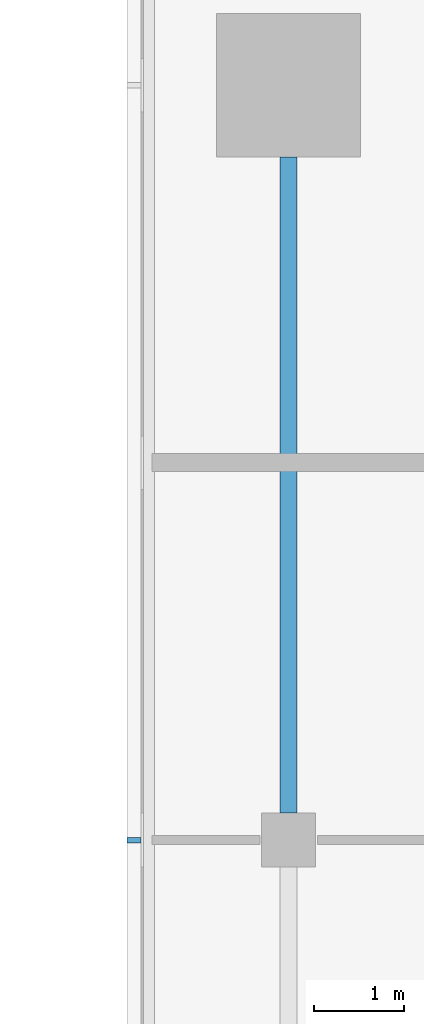
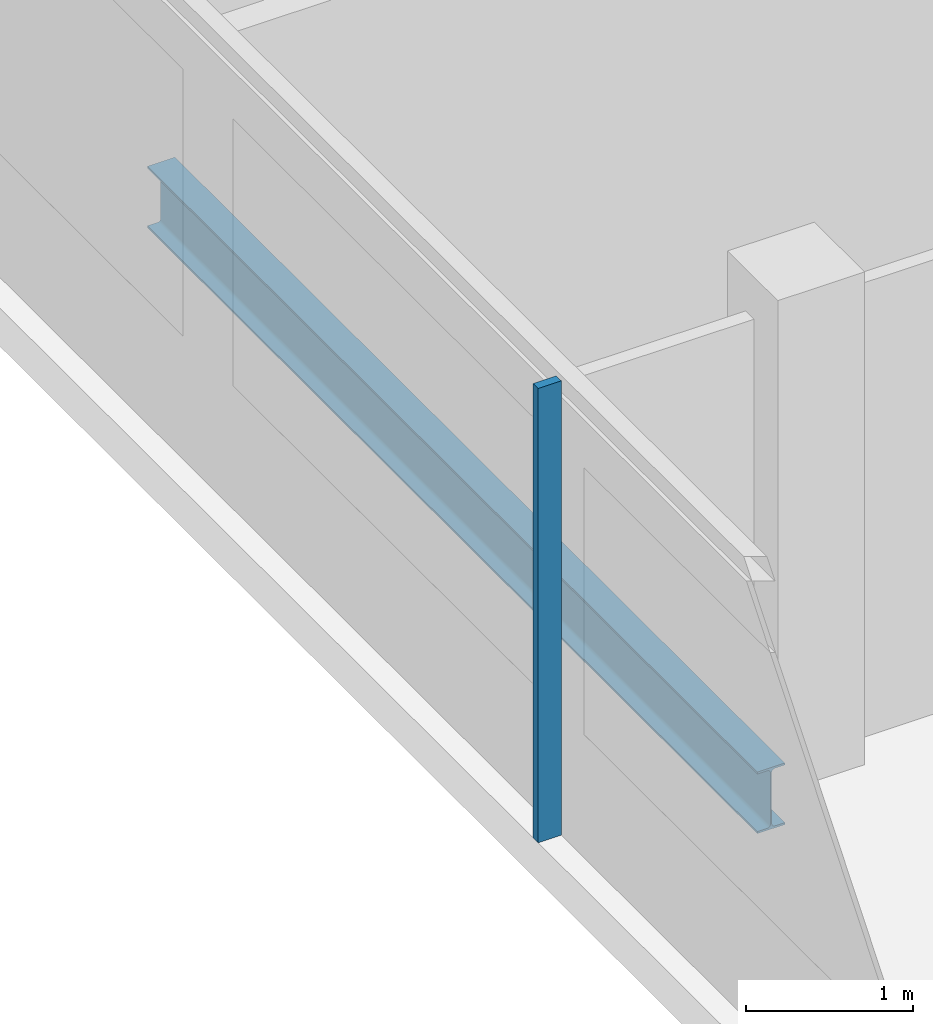
# One storey, part 4 of 30: 1 beam, 1 member, 1 element without a shape of its own.
"""IFC4 building model written with IfcOpenShell, lengths in metres."""

from ifc_helpers import new_model, si_unit, direction, frame, origin, origin_2d, place, context, subcontext, project, spatial, rectangle, i_section, extrude, material, material_profile, profile_set, type_object, element, aggregate, save


model = new_model("IFC4")

# Units and contexts
model_context = context("Model", 3, precision=1e-05, world=origin(), true_north=direction((0.0, 1.0)))
body_context = subcontext(model_context, "Body", "Model", "MODEL_VIEW")
ifc_project = project(units=[si_unit("LENGTHUNIT", "METRE"), si_unit("AREAUNIT", "SQUARE_METRE"), si_unit("VOLUMEUNIT", "CUBIC_METRE"), si_unit("PLANEANGLEUNIT", "RADIAN"), si_unit("MASSUNIT", "GRAM", prefix="KILO")], contexts=[model_context])

# Site, building, storey
site_placement = place(None, origin())
site = spatial("IfcSite", under=ifc_project, at=site_placement, CompositionType="ELEMENT")
building_placement = place(site_placement, origin())
building = spatial("IfcBuilding", under=site, at=building_placement, Name="Saffron Gate Tower", CompositionType="ELEMENT")
storey_placement = place(building_placement, frame((0.0, 0.0, 245.10009765625)))
storey = spatial("IfcBuildingStorey", under=building, at=storey_placement, Name="L60", CompositionType="ELEMENT", Elevation=245.10009765625)

# Beam
ifc_material_1 = material(Name="Structural steel S355", Category="steel")
ifc_material_profile_1 = material_profile(ifc_material_1, i_section(OverallWidth=0.18994140625, OverallDepth=0.449951171875, WebThickness=0.009521484375, FlangeThickness=0.0146484375, FilletRadius=0.02099609375, at=origin_2d()))
ifc_profile_set_1 = profile_set([ifc_material_profile_1], Name="Structural steel S355")
beam_type = type_object("IfcBeamType", Name="B7 IPE 450", PredefinedType="SPANDREL", material=ifc_profile_set_1)
beam_placement = place(storey_placement, frame((49.800048828125, 57.300048828125, -0.505126953125), z_axis=(0.0, 1.0, 0.0), x_axis=(-1.0, 0.0, 0.0)))
element("IfcBeam", 1, at=beam_placement, inside=storey, type_object=beam_type, Name="B7 SPANDREL BEAM", PredefinedType="SPANDREL", context=body_context, shape_type="SweptSolid", body=[
    extrude(i_section(OverallWidth=0.18994140625, OverallDepth=0.449951171875, WebThickness=0.009521484375, FlangeThickness=0.0146484375, FilletRadius=0.02099609375, at=origin_2d()), origin(), (0.0, 0.0, 1.0), 7.300048828125),
])

# Curtain wall, member
ifc_material_2 = material(Name="Aluminium, bronze anodised", Category="aluminium")
curtain_wall_type = type_object("IfcCurtainWallType", Name="CWS2 curtain wall side facades", PredefinedType="NOTDEFINED", material=ifc_material_2)
curtain_wall_placement = place(storey_placement, origin())
curtain_wall = element("IfcCurtainWall", 2, at=curtain_wall_placement, inside=storey, type_object=curtain_wall_type, Name="CWS2 run 10", PredefinedType="NOTDEFINED")
ifc_material_profile_2 = material_profile(ifc_material_2, rectangle(XDim=0.159912109375, YDim=0.06005859375, at=origin_2d()))
ifc_profile_set_2 = profile_set([ifc_material_profile_2], Name="Aluminium, bronze anodised")
member_type = type_object("IfcMemberType", Name="CWS2 mullion 60x160", PredefinedType="MULLION", material=ifc_profile_set_2)
member_placement = place(storey_placement, frame((48.080078125, 57.0, 0.0), z_axis=(0.0, 0.0, 1.0), x_axis=(1.0, 0.0, 0.0)))
member = element("IfcMember", 3, at=member_placement, type_object=member_type, Name="CWS2 mullion 3", PredefinedType="MULLION", context=body_context, shape_type="SweptSolid", body=[
    extrude(rectangle(XDim=0.159912109375, YDim=0.06005859375, at=origin_2d()), origin(), (0.0, 0.0, 1.0), 3.31982421875),
])
aggregate(curtain_wall, [member])

save(model, "model.ifc")
